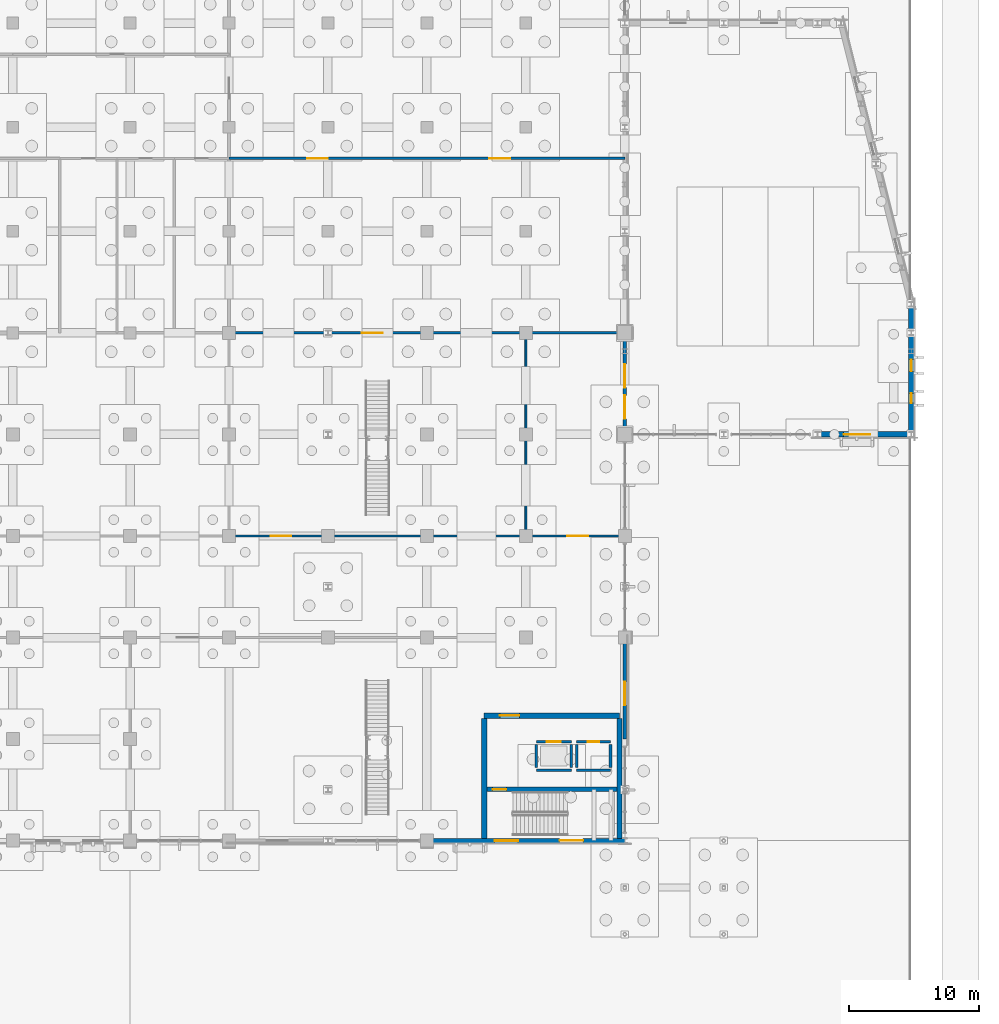
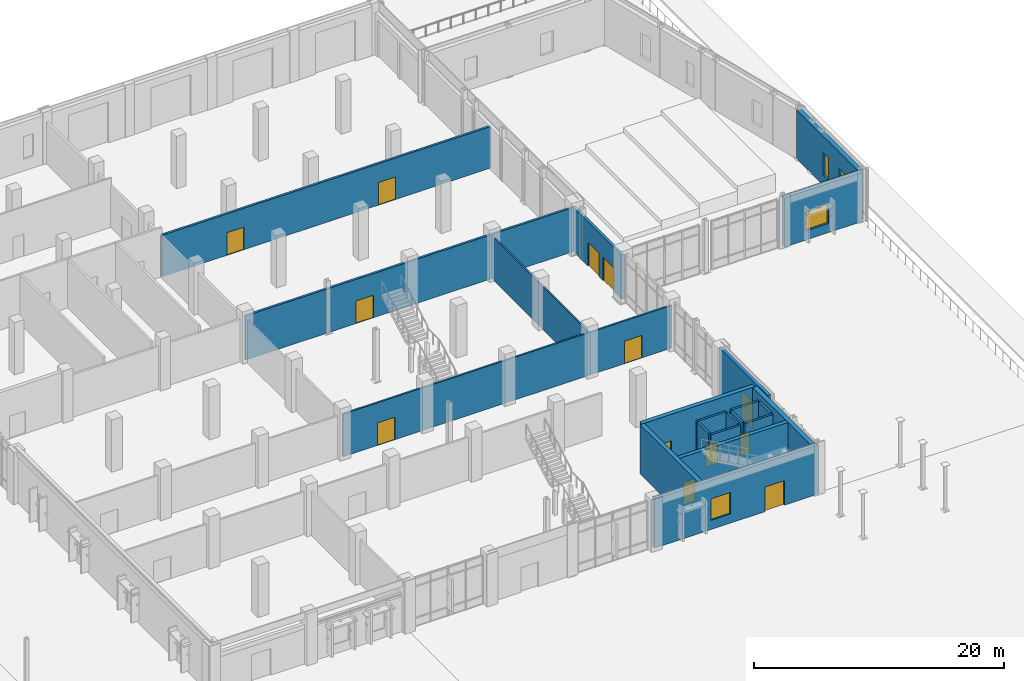
# One storey, part 69 of 94: 22 walls, 13 doors, 4 windows, 17 openings.
"""IFC4 building model written with IfcOpenShell, lengths in metres."""

from ifc_helpers import new_model, si_unit, direction, frame, frame_2d, origin, place, context, subcontext, project, spatial, rectangle, extrude, material, layer, layer_set, type_object, element, fill, save


model = new_model("IFC4")

# Units and contexts
model_context = context("Model", 3, precision=1e-05, world=origin(), true_north=direction((0.0, 1.0)))
body_context = subcontext(model_context, "Body", "Model", "MODEL_VIEW")
ifc_project = project(units=[si_unit("LENGTHUNIT", "METRE"), si_unit("AREAUNIT", "SQUARE_METRE"), si_unit("VOLUMEUNIT", "CUBIC_METRE"), si_unit("PLANEANGLEUNIT", "RADIAN"), si_unit("MASSUNIT", "GRAM", prefix="KILO")], contexts=[model_context])

# Site, building, storey
site_placement = place(None, origin())
site = spatial("IfcSite", under=ifc_project, at=site_placement, CompositionType="ELEMENT")
building_placement = place(site_placement, origin())
building = spatial("IfcBuilding", under=site, at=building_placement, Name="Vervanel Yard Central Library", CompositionType="ELEMENT")
storey_placement = place(building_placement, origin())
storey = spatial("IfcBuildingStorey", under=building, at=storey_placement, Name="L00", CompositionType="ELEMENT", Elevation=0.0)

# Wall, openings, doors
ifc_material_1 = material(Name="Concrete C40/50", Category="concrete")
ifc_layer_1 = layer(ifc_material_1, 0.25, Category="concrete")
ifc_layer_set_1 = layer_set([ifc_layer_1], Name="Concrete C40/50")
wall_type_1 = type_object("IfcWallType", Name="Acoustic Auditorium Wall 250", PredefinedType="PARTITIONING", material=ifc_layer_set_1)
wall_1_placement = place(storey_placement, frame((146.0, 74.39990234375, 0.0), z_axis=(0.0, 0.0, 1.0), x_axis=(0.0, 1.0, 0.0)))
wall_1 = element("IfcWall", 1, at=wall_1_placement, inside=storey, type_object=wall_type_1, Name="L00 Acoustic Auditorium Wall 250 IPART-L00-0037", PredefinedType="PARTITIONING", context=body_context, shape_type="SweptSolid", body=[
    extrude(rectangle(XDim=7.800048828125, YDim=0.25, at=frame_2d((3.89990234375, 0.0))), origin(), (0.0, 0.0, 1.0), 4.3076171875),
])
opening_1_placement = place(wall_1_placement, frame((1.199951171875, 0.0, 0.0)))
opening_1 = element("IfcOpeningElement", 2, at=opening_1_placement, cuts=wall_1, Name="Opening DR-05", PredefinedType="OPENING", context=body_context, shape_type="SweptSolid", body=[
    extrude(rectangle(XDim=1.800048828125, YDim=2.300048828125, at=frame_2d((0.89990234375, 1.14990234375))), frame((0.0, 0.135009765625, 0.0), z_axis=(0.0, -1.0, 0.0), x_axis=(1.0, 0.0, 0.0)), (0.0, 0.0, 1.0), 0.27001953125),
])
opening_2_placement = place(wall_1_placement, frame((3.60009765625, 0.0, 0.0)))
opening_2 = element("IfcOpeningElement", 3, at=opening_2_placement, cuts=wall_1, Name="Opening DR-05", PredefinedType="OPENING", context=body_context, shape_type="SweptSolid", body=[
    extrude(rectangle(XDim=1.800048828125, YDim=2.300048828125, at=frame_2d((0.89990234375, 1.14990234375))), frame((0.0, 0.135009765625, 0.0), z_axis=(0.0, -1.0, 0.0), x_axis=(1.0, 0.0, 0.0)), (0.0, 0.0, 1.0), 0.27001953125),
])
ifc_material_2 = material(Name="Solid white oak acoustic joinery", Category="wood")
door_type_1 = type_object("IfcDoorType", Name="Acoustic Auditorium Double Door 1800x2300", OperationType="NOTDEFINED", PredefinedType="DOOR", material=ifc_material_2)
door_1_placement = place(opening_1_placement, origin())
door_1 = element("IfcDoor", 4, at=door_1_placement, inside=storey, type_object=door_type_1, Name="L00 Acoustic Auditorium Double Door 1800x2300 IDOOR-L00-0026", OperationType="DOUBLE_DOOR_SINGLE_SWING", OverallHeight=2.300048828125, OverallWidth=1.800048828125, PredefinedType="DOOR", context=body_context, shape_type="SweptSolid", body=[
    extrude(rectangle(XDim=1.800048828125, YDim=2.300048828125, at=frame_2d((0.89990234375, 1.14990234375))), frame((0.0, 0.02490234375, 0.0), z_axis=(0.0, -1.0, 0.0), x_axis=(1.0, 0.0, 0.0)), (0.0, 0.0, 1.0), 0.050048828125),
])
fill(opening_1, door_1)
door_2_placement = place(opening_2_placement, origin())
door_2 = element("IfcDoor", 5, at=door_2_placement, inside=storey, type_object=door_type_1, Name="L00 Acoustic Auditorium Double Door 1800x2300 IDOOR-L00-0027", OperationType="DOUBLE_DOOR_SINGLE_SWING", OverallHeight=2.300048828125, OverallWidth=1.800048828125, PredefinedType="DOOR", context=body_context, shape_type="SweptSolid", body=[
    extrude(rectangle(XDim=1.800048828125, YDim=2.300048828125, at=frame_2d((0.89990234375, 1.14990234375))), frame((0.0, 0.02490234375, 0.0), z_axis=(0.0, -1.0, 0.0), x_axis=(1.0, 0.0, 0.0)), (0.0, 0.0, 1.0), 0.050048828125),
])
fill(opening_2, door_2)

# Wall, opening, door
ifc_material_3 = material(Name="Fire-rated gypsum board on steel studs", Category="steel")
ifc_layer_2 = layer(ifc_material_3, 0.159912109375, Category="steel")
ifc_layer_set_2 = layer_set([ifc_layer_2], Name="Fire-rated gypsum board on steel studs")
wall_type_2 = type_object("IfcWallType", Name="Acoustic Glazed Partition 160", PredefinedType="PARTITIONING", material=ifc_layer_set_2)
wall_2_placement = place(storey_placement, frame((115.60009765625, 66.60009765625, 0.0), z_axis=(0.0, 0.0, 1.0), x_axis=(1.0, 0.0, 0.0)))
wall_2 = element("IfcWall", 6, at=wall_2_placement, inside=storey, type_object=wall_type_2, Name="L00 Acoustic Glazed Partition 160 IPART-L00-0033", PredefinedType="PARTITIONING", context=body_context, shape_type="SweptSolid", body=[
    extrude(rectangle(XDim=22.7998046875, YDim=0.159912109375, at=frame_2d((11.39990234375, 0.0))), origin(), (0.0, 0.0, 1.0), 4.162841796875),
])
opening_3_placement = place(wall_2_placement, frame((3.199951171875, 0.0, 0.0)))
opening_3 = element("IfcOpeningElement", 7, at=opening_3_placement, cuts=wall_2, Name="Opening DR-04", PredefinedType="OPENING", context=body_context, shape_type="SweptSolid", body=[
    extrude(rectangle(XDim=1.60009765625, YDim=2.199951171875, at=frame_2d((0.800048828125, 1.10009765625))), frame((0.0, 0.08984375, 0.0), z_axis=(0.0, -1.0, 0.0), x_axis=(1.0, 0.0, 0.0)), (0.0, 0.0, 1.0), 0.179931640625),
])
door_type_2 = type_object("IfcDoorType", Name="Interior Double Reading Door 1600x2200", OperationType="NOTDEFINED", PredefinedType="DOOR", material=ifc_material_2)
door_3_placement = place(opening_3_placement, origin())
door_3 = element("IfcDoor", 8, at=door_3_placement, inside=storey, type_object=door_type_2, Name="L00 Interior Double Reading Door 1600x2200 IDOOR-L00-0024", OperationType="DOUBLE_DOOR_SINGLE_SWING", OverallHeight=2.199951171875, OverallWidth=1.60009765625, PredefinedType="DOOR", context=body_context, shape_type="SweptSolid", body=[
    extrude(rectangle(XDim=1.60009765625, YDim=2.199951171875, at=frame_2d((0.800048828125, 1.10009765625))), frame((0.0, 0.02490234375, 0.0), z_axis=(0.0, -1.0, 0.0), x_axis=(1.0, 0.0, 0.0)), (0.0, 0.0, 1.0), 0.050048828125),
])
fill(opening_3, door_3)

wall_3_placement = place(storey_placement, frame((138.39990234375, 66.60009765625, 0.0), z_axis=(0.0, 0.0, 1.0), x_axis=(1.0, 0.0, 0.0)))
wall_3 = element("IfcWall", 9, at=wall_3_placement, inside=storey, type_object=wall_type_2, Name="L00 Acoustic Glazed Partition 160 IPART-L00-0035", PredefinedType="PARTITIONING", context=body_context, shape_type="SweptSolid", body=[
    extrude(rectangle(XDim=7.60009765625, YDim=0.159912109375, at=frame_2d((3.800048828125, 0.0))), origin(), (0.0, 0.0, 1.0), 4.162841796875),
])
opening_4_placement = place(wall_3_placement, frame((3.199951171875, 0.0, 0.0)))
opening_4 = element("IfcOpeningElement", 10, at=opening_4_placement, cuts=wall_3, Name="Opening DR-04", PredefinedType="OPENING", context=body_context, shape_type="SweptSolid", body=[
    extrude(rectangle(XDim=1.60009765625, YDim=2.199951171875, at=frame_2d((0.800048828125, 1.10009765625))), frame((0.0, 0.08984375, 0.0), z_axis=(0.0, -1.0, 0.0), x_axis=(1.0, 0.0, 0.0)), (0.0, 0.0, 1.0), 0.179931640625),
])
door_4_placement = place(opening_4_placement, origin())
door_4 = element("IfcDoor", 11, at=door_4_placement, inside=storey, type_object=door_type_2, Name="L00 Interior Double Reading Door 1600x2200 IDOOR-L00-0025", OperationType="DOUBLE_DOOR_SINGLE_SWING", OverallHeight=2.199951171875, OverallWidth=1.60009765625, PredefinedType="DOOR", context=body_context, shape_type="SweptSolid", body=[
    extrude(rectangle(XDim=1.60009765625, YDim=2.199951171875, at=frame_2d((0.800048828125, 1.10009765625))), frame((0.0, 0.02490234375, 0.0), z_axis=(0.0, -1.0, 0.0), x_axis=(1.0, 0.0, 0.0)), (0.0, 0.0, 1.0), 0.050048828125),
])
fill(opening_4, door_4)

# Wall, opening, window
ifc_material_4 = material(Name="Concrete C45/55", Category="concrete")
ifc_layer_3 = layer(ifc_material_4, 0.419921875, Category="concrete")
ifc_layer_set_3 = layer_set([ifc_layer_3], Name="Concrete C45/55")
wall_type_3 = type_object("IfcWallType", Name="Auditorium Acoustic Shell Exterior Wall 420", PredefinedType="SOLIDWALL", material=ifc_layer_set_3)
wall_4_placement = place(storey_placement, frame((160.800048828125, 74.39990234375, 0.0), z_axis=(0.0, 0.0, 1.0), x_axis=(1.0, 0.0, 0.0)))
wall_4 = element("IfcWall", 12, at=wall_4_placement, inside=storey, type_object=wall_type_3, Name="L00 Auditorium Acoustic Shell Exterior Wall 420 EWALL-L00-0178", PredefinedType="SOLIDWALL", context=body_context, shape_type="SweptSolid", body=[
    extrude(rectangle(XDim=7.199951171875, YDim=0.419921875, at=frame_2d((3.60009765625, 0.0))), origin(), (0.0, 0.0, 1.0), 4.800048828125),
])
opening_5_placement = place(wall_4_placement, frame((2.0, 0.0, 0.89990234375)))
opening_5 = element("IfcOpeningElement", 13, at=opening_5_placement, cuts=wall_4, Name="Opening WN-26", PredefinedType="OPENING", context=body_context, shape_type="SweptSolid", body=[
    extrude(rectangle(XDim=2.050048828125, YDim=1.85009765625, at=frame_2d((1.02490234375, 0.925048828125))), frame((0.0, 0.219970703125, 0.0), z_axis=(0.0, -1.0, 0.0), x_axis=(1.0, 0.0, 0.0)), (0.0, 0.0, 1.0), 0.43994140625),
])
ifc_material_5 = material(Name="Double low-E laminated solar-control glass", Category="glass")
window_type_1 = type_object("IfcWindowType", Name="Seminar Acoustic Window 2050x1850", PartitioningType="SINGLE_PANEL", PredefinedType="WINDOW", material=ifc_material_5)
window_1_placement = place(opening_5_placement, origin())
window_1 = element("IfcWindow", 14, at=window_1_placement, inside=storey, type_object=window_type_1, Name="L00 Seminar Acoustic Window 2050x1850 217", OverallHeight=1.85009765625, OverallWidth=2.050048828125, PartitioningType="SINGLE_PANEL", PredefinedType="WINDOW", context=body_context, shape_type="SweptSolid", body=[
    extrude(rectangle(XDim=2.050048828125, YDim=1.85009765625, at=frame_2d((1.02490234375, 0.925048828125))), frame((0.0, 0.030029296875, 0.0), z_axis=(0.0, -1.0, 0.0), x_axis=(1.0, 0.0, 0.0)), (0.0, 0.0, 1.0), 0.06005859375),
])
fill(opening_5, window_1)

# Wall, openings, windows
wall_5_placement = place(storey_placement, frame((168.0, 74.39990234375, 0.0), z_axis=(0.0, 0.0, 1.0), x_axis=(0.0, 1.0, 0.0)))
wall_5 = element("IfcWall", 15, at=wall_5_placement, inside=storey, type_object=wall_type_3, Name="L00 Auditorium Acoustic Shell Exterior Wall 420 EWALL-L00-0179", PredefinedType="SOLIDWALL", context=body_context, shape_type="SweptSolid", body=[
    extrude(rectangle(XDim=10.0, YDim=0.419921875, at=frame_2d((5.0, 0.0))), origin(), (0.0, 0.0, 1.0), 4.800048828125),
])
opening_6_placement = place(wall_5_placement, frame((2.39990234375, 0.0, 1.0)))
opening_6 = element("IfcOpeningElement", 16, at=opening_6_placement, cuts=wall_5, Name="Opening WN-04", PredefinedType="OPENING", context=body_context, shape_type="SweptSolid", body=[
    extrude(rectangle(XDim=0.75, YDim=2.199951171875, at=frame_2d((0.375, 1.10009765625))), frame((0.0, 0.219970703125, 0.0), z_axis=(0.0, -1.0, 0.0), x_axis=(1.0, 0.0, 0.0)), (0.0, 0.0, 1.0), 0.43994140625),
])
opening_7_placement = place(wall_5_placement, frame((4.85009765625, 0.0, 1.0)))
opening_7 = element("IfcOpeningElement", 17, at=opening_7_placement, cuts=wall_5, Name="Opening WN-05", PredefinedType="OPENING", context=body_context, shape_type="SweptSolid", body=[
    extrude(rectangle(XDim=0.89990234375, YDim=2.199951171875, at=frame_2d((0.449951171875, 1.10009765625))), frame((0.0, 0.219970703125, 0.0), z_axis=(0.0, -1.0, 0.0), x_axis=(1.0, 0.0, 0.0)), (0.0, 0.0, 1.0), 0.43994140625),
])
window_type_2 = type_object("IfcWindowType", Name="Stack Deep-Reveal Window 900x2200", PartitioningType="SINGLE_PANEL", PredefinedType="WINDOW", material=ifc_material_5)
window_2_placement = place(opening_7_placement, origin())
window_2 = element("IfcWindow", 18, at=window_2_placement, inside=storey, type_object=window_type_2, Name="L00 Stack Deep-Reveal Window 900x2200 219", OverallHeight=2.199951171875, OverallWidth=0.89990234375, PartitioningType="SINGLE_PANEL", PredefinedType="WINDOW", context=body_context, shape_type="SweptSolid", body=[
    extrude(rectangle(XDim=0.89990234375, YDim=2.199951171875, at=frame_2d((0.449951171875, 1.10009765625))), frame((0.0, 0.030029296875, 0.0), z_axis=(0.0, -1.0, 0.0), x_axis=(1.0, 0.0, 0.0)), (0.0, 0.0, 1.0), 0.06005859375),
])
fill(opening_7, window_2)
window_type_3 = type_object("IfcWindowType", Name="Stack Narrow UV-Filtered Window 750x2200", PartitioningType="SINGLE_PANEL", PredefinedType="WINDOW", material=ifc_material_5)
window_3_placement = place(opening_6_placement, origin())
window_3 = element("IfcWindow", 19, at=window_3_placement, inside=storey, type_object=window_type_3, Name="L00 Stack Narrow UV-Filtered Window 750x2200 218", OverallHeight=2.199951171875, OverallWidth=0.75, PartitioningType="SINGLE_PANEL", PredefinedType="WINDOW", context=body_context, shape_type="SweptSolid", body=[
    extrude(rectangle(XDim=0.75, YDim=2.199951171875, at=frame_2d((0.375, 1.10009765625))), frame((0.0, 0.030029296875, 0.0), z_axis=(0.0, -1.0, 0.0), x_axis=(1.0, 0.0, 0.0)), (0.0, 0.0, 1.0), 0.06005859375),
])
fill(opening_6, window_3)

# Wall, opening, door
ifc_layer_4 = layer(ifc_material_1, 0.280029296875, Category="concrete")
ifc_layer_set_4 = layer_set([ifc_layer_4], Name="Concrete C40/50")
wall_type_4 = type_object("IfcWallType", Name="Board-Marked Concrete Spandrel Wall 280", PredefinedType="SOLIDWALL", material=ifc_layer_set_4)
wall_6_placement = place(storey_placement, frame((146.0, 51.0, 0.0), z_axis=(0.0, 0.0, 1.0), x_axis=(0.0, 1.0, 0.0)))
wall_6 = element("IfcWall", 20, at=wall_6_placement, inside=storey, type_object=wall_type_4, Name="L00 Board-Marked Concrete Spandrel Wall 280 EWALL-L00-0176", PredefinedType="SOLIDWALL", context=body_context, shape_type="SweptSolid", body=[
    extrude(rectangle(XDim=7.800048828125, YDim=0.280029296875, at=frame_2d((3.89990234375, 0.0))), origin(), (0.0, 0.0, 1.0), 4.800048828125),
])
opening_8_placement = place(wall_6_placement, frame((2.60009765625, 0.0, 0.0)))
opening_8 = element("IfcOpeningElement", 21, at=opening_8_placement, cuts=wall_6, Name="Opening DR-E01", PredefinedType="OPENING", context=body_context, shape_type="SweptSolid", body=[
    extrude(rectangle(XDim=1.800048828125, YDim=2.60009765625, at=frame_2d((0.89990234375, 1.300048828125))), frame((0.0, 0.14990234375, 0.0), z_axis=(0.0, -1.0, 0.0), x_axis=(1.0, 0.0, 0.0)), (0.0, 0.0, 1.0), 0.300048828125),
])
ifc_material_6 = material(Name="Thermally broken anodized aluminium 6063-T6", Category="aluminium")
door_type_3 = type_object("IfcDoorType", Name="Main Civic Entrance Double Door 1800x2600", OperationType="NOTDEFINED", PredefinedType="DOOR", material=ifc_material_6)
door_5_placement = place(opening_8_placement, frame((1.800048828125, 0.0, 0.0), z_axis=(0.0, 0.0, 1.0), x_axis=(-1.0, 0.0, 0.0)))
door_5 = element("IfcDoor", 22, at=door_5_placement, inside=storey, type_object=door_type_3, Name="L00 Main Civic Entrance Double Door 1800x2600 19", OperationType="DOUBLE_DOOR_SINGLE_SWING", OverallHeight=2.60009765625, OverallWidth=1.800048828125, PredefinedType="DOOR", context=body_context, shape_type="SweptSolid", body=[
    extrude(rectangle(XDim=1.800048828125, YDim=2.60009765625, at=frame_2d((0.89990234375, 1.300048828125))), frame((0.0, 0.02490234375, 0.0), z_axis=(0.0, -1.0, 0.0), x_axis=(1.0, 0.0, 0.0)), (0.0, 0.0, 1.0), 0.050048828125),
])
fill(opening_8, door_5)

ifc_layer_5 = layer(ifc_material_4, 0.39990234375, Category="concrete")
ifc_layer_set_5 = layer_set([ifc_layer_5], Name="Concrete C45/55")
wall_type_5 = type_object("IfcWallType", Name="Core Primary Shear Wall 400", PredefinedType="SHEAR", material=ifc_layer_set_5)
wall_7_placement = place(storey_placement, frame((135.199951171875, 52.800048828125, 0.0), z_axis=(0.0, 0.0, 1.0), x_axis=(1.0, 0.0, 0.0)))
wall_7 = element("IfcWall", 23, at=wall_7_placement, inside=storey, type_object=wall_type_5, Name="L00 CORE-E Shear Wall N", PredefinedType="SHEAR", context=body_context, shape_type="SweptSolid", body=[
    extrude(rectangle(XDim=10.400146484375, YDim=0.39990234375, at=frame_2d((5.2001953125, 0.0))), origin(), (0.0, 0.0, 1.0), 4.800048828125),
])
opening_9_placement = place(wall_7_placement, frame((1.199951171875, 0.0, 0.0)))
opening_9 = element("IfcOpeningElement", 24, at=opening_9_placement, cuts=wall_7, Name="Opening DR-F02", PredefinedType="OPENING", context=body_context, shape_type="SweptSolid", body=[
    extrude(rectangle(XDim=1.5, YDim=2.199951171875, at=frame_2d((0.75, 1.10009765625))), frame((0.0, 0.2099609375, 0.0), z_axis=(0.0, -1.0, 0.0), x_axis=(1.0, 0.0, 0.0)), (0.0, 0.0, 1.0), 0.419921875),
])
ifc_material_7 = material(Name="Galvanized painted steelwork ASTM A500 Grade C", Category="steel")
door_type_4 = type_object("IfcDoorType", Name="Fire-Rated Lobby Door 1500x2200", OperationType="NOTDEFINED", PredefinedType="DOOR", material=ifc_material_7)
door_6_placement = place(opening_9_placement, origin())
door_6 = element("IfcDoor", 25, at=door_6_placement, inside=storey, type_object=door_type_4, Name="L00 CORE-E Lobby Fire Door", OperationType="DOUBLE_DOOR_SINGLE_SWING", OverallHeight=2.199951171875, OverallWidth=1.5, PredefinedType="DOOR", context=body_context, shape_type="SweptSolid", body=[
    extrude(rectangle(XDim=1.5, YDim=2.199951171875, at=frame_2d((0.75, 1.10009765625))), frame((0.0, 0.02490234375, 0.0), z_axis=(0.0, -1.0, 0.0), x_axis=(1.0, 0.0, 0.0)), (0.0, 0.0, 1.0), 0.050048828125),
])
fill(opening_9, door_6)

# Walls
for number, where, z_axis, x_axis, name in (
    (26, (135.199951171875, 43.3701171875, 0.0), (0.0, 0.0, 1.0), (0.0, 1.0, 0.0), "L00 CORE-E Shear Wall W"),
    (27, (145.60009765625, 43.3701171875, 0.0), (0.0, 0.0, 1.0), (0.0, 1.0, 0.0), "L00 CORE-E Shear Wall E"),
):
    element("IfcWall", number, at=place(storey_placement, frame(where, z_axis=z_axis, x_axis=x_axis)), inside=storey, type_object=wall_type_5, Name=name, PredefinedType="SHEAR", context=body_context, shape_type="SweptSolid", body=[
        extrude(rectangle(XDim=9.22998046875, YDim=0.39990234375, at=frame_2d((4.614990234375, 0.0))), origin(), (0.0, 0.0, 1.0), 4.800048828125),
    ])

# Wall, opening, door
ifc_layer_6 = layer(ifc_material_4, 0.35009765625, Category="concrete")
ifc_layer_set_6 = layer_set([ifc_layer_6], Name="Concrete C45/55")
wall_type_6 = type_object("IfcWallType", Name="Core Secondary Shear Wall 350", PredefinedType="SHEAR", material=ifc_layer_set_6)
wall_8_placement = place(storey_placement, frame((135.39990234375, 47.135009765625, 0.0), z_axis=(0.0, 0.0, 1.0), x_axis=(1.0, 0.0, 0.0)))
wall_8 = element("IfcWall", 28, at=wall_8_placement, inside=storey, type_object=wall_type_6, Name="L00 CORE-E Stair Shaft Wall", PredefinedType="SHEAR", context=body_context, shape_type="SweptSolid", body=[
    extrude(rectangle(XDim=10.0, YDim=0.35009765625, at=frame_2d((5.0, 0.0))), origin(), (0.0, 0.0, 1.0), 4.800048828125),
])
opening_10_placement = place(wall_8_placement, frame((0.449951171875, 0.0, 0.0)))
opening_10 = element("IfcOpeningElement", 29, at=opening_10_placement, cuts=wall_8, Name="Opening DR-F01", PredefinedType="OPENING", context=body_context, shape_type="SweptSolid", body=[
    extrude(rectangle(XDim=1.050048828125, YDim=2.199951171875, at=frame_2d((0.52490234375, 1.10009765625))), frame((0.0, 0.18505859375, 0.0), z_axis=(0.0, -1.0, 0.0), x_axis=(1.0, 0.0, 0.0)), (0.0, 0.0, 1.0), 0.3701171875),
])
door_type_5 = type_object("IfcDoorType", Name="Fire-Rated Stair Exit Door 1050x2200", OperationType="NOTDEFINED", PredefinedType="DOOR", material=ifc_material_7)
door_7_placement = place(opening_10_placement, origin())
door_7 = element("IfcDoor", 30, at=door_7_placement, inside=storey, type_object=door_type_5, Name="L00 CORE-E Stair Door", OperationType="SINGLE_SWING_LEFT", OverallHeight=2.199951171875, OverallWidth=1.050048828125, PredefinedType="DOOR", context=body_context, shape_type="SweptSolid", body=[
    extrude(rectangle(XDim=1.050048828125, YDim=2.199951171875, at=frame_2d((0.52490234375, 1.10009765625))), frame((0.0, 0.02490234375, 0.0), z_axis=(0.0, -1.0, 0.0), x_axis=(1.0, 0.0, 0.0)), (0.0, 0.0, 1.0), 0.050048828125),
])
fill(opening_10, door_7)

# Wall, openings, door, window
ifc_layer_7 = layer(ifc_material_4, 0.340087890625, Category="concrete")
ifc_layer_set_7 = layer_set([ifc_layer_7], Name="Concrete C45/55")
wall_type_7 = type_object("IfcWallType", Name="Exterior Bearing Concrete Frame Wall 340", PredefinedType="SOLIDWALL", material=ifc_layer_set_7)
wall_9_placement = place(storey_placement, frame((130.800048828125, 43.199951171875, 0.0), z_axis=(0.0, 0.0, 1.0), x_axis=(1.0, 0.0, 0.0)))
wall_9 = element("IfcWall", 31, at=wall_9_placement, inside=storey, type_object=wall_type_7, Name="L00 Exterior Bearing Concrete Frame Wall 340 EWALL-L00-0162", PredefinedType="SOLIDWALL", context=body_context, shape_type="SweptSolid", body=[
    extrude(rectangle(XDim=15.199951171875, YDim=0.340087890625, at=frame_2d((7.60009765625, 0.0))), origin(), (0.0, 0.0, 1.0), 4.800048828125),
])
opening_11_placement = place(wall_9_placement, frame((10.199951171875, 0.0, 0.0)))
opening_11 = element("IfcOpeningElement", 32, at=opening_11_placement, cuts=wall_9, Name="Opening DR-E02", PredefinedType="OPENING", context=body_context, shape_type="SweptSolid", body=[
    extrude(rectangle(XDim=1.800048828125, YDim=2.39990234375, at=frame_2d((0.89990234375, 1.199951171875))), frame((0.0, 0.179931640625, 0.0), z_axis=(0.0, -1.0, 0.0), x_axis=(1.0, 0.0, 0.0)), (0.0, 0.0, 1.0), 0.360107421875),
])
opening_12_placement = place(wall_9_placement, frame((5.199951171875, 0.0, 0.89990234375)))
opening_12 = element("IfcOpeningElement", 33, at=opening_12_placement, cuts=wall_9, Name="Opening WN-03", PredefinedType="OPENING", context=body_context, shape_type="SweptSolid", body=[
    extrude(rectangle(XDim=1.800048828125, YDim=2.10009765625, at=frame_2d((0.89990234375, 1.050048828125))), frame((0.0, 0.179931640625, 0.0), z_axis=(0.0, -1.0, 0.0), x_axis=(1.0, 0.0, 0.0)), (0.0, 0.0, 1.0), 0.360107421875),
])
ifc_material_8 = material(Name="Galvanized hollow steel door assembly", Category="steel")
door_type_6 = type_object("IfcDoorType", Name="Double Pedestrian Exit Door 1800x2400", OperationType="NOTDEFINED", PredefinedType="DOOR", material=ifc_material_8)
door_8_placement = place(opening_11_placement, frame((1.800048828125, 0.0, 0.0), z_axis=(0.0, 0.0, 1.0), x_axis=(-1.0, 0.0, 0.0)))
door_8 = element("IfcDoor", 34, at=door_8_placement, inside=storey, type_object=door_type_6, Name="L00 Double Pedestrian Exit Door 1800x2400 18", OperationType="DOUBLE_DOOR_SINGLE_SWING", OverallHeight=2.39990234375, OverallWidth=1.800048828125, PredefinedType="DOOR", context=body_context, shape_type="SweptSolid", body=[
    extrude(rectangle(XDim=1.800048828125, YDim=2.39990234375, at=frame_2d((0.89990234375, 1.199951171875))), frame((0.0, 0.02490234375, 0.0), z_axis=(0.0, -1.0, 0.0), x_axis=(1.0, 0.0, 0.0)), (0.0, 0.0, 1.0), 0.050048828125),
])
fill(opening_11, door_8)
window_type_4 = type_object("IfcWindowType", Name="Reading Wide Window 1800x2100", PartitioningType="SINGLE_PANEL", PredefinedType="WINDOW", material=ifc_material_5)
window_4_placement = place(opening_12_placement, origin())
window_4 = element("IfcWindow", 35, at=window_4_placement, inside=storey, type_object=window_type_4, Name="L00 Reading Wide Window 1800x2100 213", OverallHeight=2.10009765625, OverallWidth=1.800048828125, PartitioningType="SINGLE_PANEL", PredefinedType="WINDOW", context=body_context, shape_type="SweptSolid", body=[
    extrude(rectangle(XDim=1.800048828125, YDim=2.10009765625, at=frame_2d((0.89990234375, 1.050048828125))), frame((0.0, 0.030029296875, 0.0), z_axis=(0.0, -1.0, 0.0), x_axis=(1.0, 0.0, 0.0)), (0.0, 0.0, 1.0), 0.06005859375),
])
fill(opening_12, window_4)

# Walls
ifc_layer_8 = layer(ifc_material_3, 0.14990234375, Category="steel")
ifc_layer_set_8 = layer_set([ifc_layer_8], Name="Fire-rated gypsum board on steel studs")
wall_type_8 = type_object("IfcWallType", Name="Interior Partition 150", PredefinedType="PARTITIONING", material=ifc_layer_set_8)
wall_10_placement = place(storey_placement, frame((138.39990234375, 66.60009765625, 0.0), z_axis=(0.0, 0.0, 1.0), x_axis=(0.0, 1.0, 0.0)))
element("IfcWall", 36, at=wall_10_placement, inside=storey, type_object=wall_type_8, Name="L00 Interior Partition 150 IPART-L00-0036", PredefinedType="PARTITIONING", context=body_context, shape_type="SweptSolid", body=[
    extrude(rectangle(XDim=15.599853515625, YDim=0.14990234375, at=frame_2d((7.7998046875, 0.0))), origin(), (0.0, 0.0, 1.0), 4.162841796875),
])
ifc_layer_9 = layer(ifc_material_1, 0.199951171875, Category="concrete")
ifc_layer_set_9 = layer_set([ifc_layer_9], Name="Concrete C40/50")
wall_type_9 = type_object("IfcWallType", Name="Shaft & Plant Rated Wall 200", PredefinedType="PARTITIONING", material=ifc_layer_set_9)
wall_11_placement = place(storey_placement, frame((139.199951171875, 48.60009765625, 0.0), z_axis=(0.0, 0.0, 1.0), x_axis=(1.0, 0.0, 0.0)))
element("IfcWall", 37, at=wall_11_placement, inside=storey, type_object=wall_type_9, Name="L00 CORE-E-L00-EL-05 Shaft Wall S", PredefinedType="PARTITIONING", context=body_context, shape_type="SweptSolid", body=[
    extrude(rectangle(XDim=2.699951171875, YDim=0.199951171875, at=frame_2d((1.35009765625, 0.0))), origin(), (0.0, 0.0, 1.0), 4.800048828125),
])

# Wall, opening, door
wall_12_placement = place(storey_placement, frame((139.199951171875, 50.800048828125, 0.0), z_axis=(0.0, 0.0, 1.0), x_axis=(1.0, 0.0, 0.0)))
wall_12 = element("IfcWall", 38, at=wall_12_placement, inside=storey, type_object=wall_type_9, Name="L00 CORE-E-L00-EL-05 Shaft Wall N", PredefinedType="PARTITIONING", context=body_context, shape_type="SweptSolid", body=[
    extrude(rectangle(XDim=2.699951171875, YDim=0.199951171875, at=frame_2d((1.35009765625, 0.0))), origin(), (0.0, 0.0, 1.0), 4.800048828125),
])
opening_13_placement = place(wall_12_placement, frame((0.800048828125, 0.0, 0.0)))
opening_13 = element("IfcOpeningElement", 39, at=opening_13_placement, cuts=wall_12, Name="Opening LD-01", PredefinedType="OPENING", context=body_context, shape_type="SweptSolid", body=[
    extrude(rectangle(XDim=1.10009765625, YDim=2.14990234375, at=frame_2d((0.550048828125, 1.074951171875))), frame((0.0, 0.10986328125, 0.0), z_axis=(0.0, -1.0, 0.0), x_axis=(1.0, 0.0, 0.0)), (0.0, 0.0, 1.0), 0.219970703125),
])
ifc_material_9 = material(Name="Brushed stainless steel AISI 316", Category="steel")
door_type_7 = type_object("IfcDoorType", Name="Passenger Lift Sliding Landing Door 1100x2150", OperationType="NOTDEFINED", PredefinedType="DOOR", material=ifc_material_9)
door_9_placement = place(opening_13_placement, origin())
door_9 = element("IfcDoor", 40, at=door_9_placement, inside=storey, type_object=door_type_7, Name="L00 Lift EL-05 Landing Door", OperationType="SLIDING_TO_LEFT", OverallHeight=2.14990234375, OverallWidth=1.10009765625, PredefinedType="DOOR", context=body_context, shape_type="SweptSolid", body=[
    extrude(rectangle(XDim=1.10009765625, YDim=2.14990234375, at=frame_2d((0.550048828125, 1.074951171875))), frame((0.0, 0.02490234375, 0.0), z_axis=(0.0, -1.0, 0.0), x_axis=(1.0, 0.0, 0.0)), (0.0, 0.0, 1.0), 0.050048828125),
])
fill(opening_13, door_9)

# Walls
for number, where, z_axis, x_axis, name in (
    (41, (139.199951171875, 48.800048828125, 0.0), (0.0, 0.0, 1.0), (0.0, 1.0, 0.0), "L00 CORE-E-L00-EL-05 Shaft Wall W"),
    (42, (141.89990234375, 48.800048828125, 0.0), (0.0, 0.0, 1.0), (0.0, 1.0, 0.0), "L00 CORE-E-L00-EL-05 Shaft Wall E"),
):
    element("IfcWall", number, at=place(storey_placement, frame(where, z_axis=z_axis, x_axis=x_axis)), inside=storey, type_object=wall_type_9, Name=name, PredefinedType="PARTITIONING", context=body_context, shape_type="SweptSolid", body=[
        extrude(rectangle(XDim=1.800048828125, YDim=0.199951171875, at=frame_2d((0.89990234375, 0.0))), origin(), (0.0, 0.0, 1.0), 4.800048828125),
    ])
wall_13_placement = place(storey_placement, frame((142.300048828125, 48.60009765625, 0.0), z_axis=(0.0, 0.0, 1.0), x_axis=(1.0, 0.0, 0.0)))
element("IfcWall", 43, at=wall_13_placement, inside=storey, type_object=wall_type_9, Name="L00 CORE-E-L00-RIS Shaft Wall S", PredefinedType="PARTITIONING", context=body_context, shape_type="SweptSolid", body=[
    extrude(rectangle(XDim=2.599853515625, YDim=0.199951171875, at=frame_2d((1.2998046875, 0.0))), origin(), (0.0, 0.0, 1.0), 4.800048828125),
])

# Wall, opening, door
wall_14_placement = place(storey_placement, frame((142.300048828125, 50.800048828125, 0.0), z_axis=(0.0, 0.0, 1.0), x_axis=(1.0, 0.0, 0.0)))
wall_14 = element("IfcWall", 44, at=wall_14_placement, inside=storey, type_object=wall_type_9, Name="L00 CORE-E-L00-RIS Shaft Wall N", PredefinedType="PARTITIONING", context=body_context, shape_type="SweptSolid", body=[
    extrude(rectangle(XDim=2.599853515625, YDim=0.199951171875, at=frame_2d((1.2998046875, 0.0))), origin(), (0.0, 0.0, 1.0), 4.800048828125),
])
opening_14_placement = place(wall_14_placement, frame((0.85009765625, 0.0, 0.0)))
opening_14 = element("IfcOpeningElement", 45, at=opening_14_placement, cuts=wall_14, Name="Opening DR-03", PredefinedType="OPENING", context=body_context, shape_type="SweptSolid", body=[
    extrude(rectangle(XDim=0.89990234375, YDim=2.10009765625, at=frame_2d((0.449951171875, 1.050048828125))), frame((0.0, 0.10986328125, 0.0), z_axis=(0.0, -1.0, 0.0), x_axis=(1.0, 0.0, 0.0)), (0.0, 0.0, 1.0), 0.219970703125),
])
door_type_8 = type_object("IfcDoorType", Name="Interior Riser Access Door 900x2100", OperationType="NOTDEFINED", PredefinedType="DOOR", material=ifc_material_7)
door_10_placement = place(opening_14_placement, origin())
door_10 = element("IfcDoor", 46, at=door_10_placement, inside=storey, type_object=door_type_8, Name="L00 CORE-E Riser Access Door", OperationType="SINGLE_SWING_LEFT", OverallHeight=2.10009765625, OverallWidth=0.89990234375, PredefinedType="DOOR", context=body_context, shape_type="SweptSolid", body=[
    extrude(rectangle(XDim=0.89990234375, YDim=2.10009765625, at=frame_2d((0.449951171875, 1.050048828125))), frame((0.0, 0.02490234375, 0.0), z_axis=(0.0, -1.0, 0.0), x_axis=(1.0, 0.0, 0.0)), (0.0, 0.0, 1.0), 0.050048828125),
])
fill(opening_14, door_10)

# Walls
for number, where, z_axis, x_axis, name in (
    (47, (142.300048828125, 48.800048828125, 0.0), (0.0, 0.0, 1.0), (0.0, 1.0, 0.0), "L00 CORE-E-L00-RIS Shaft Wall W"),
    (48, (144.89990234375, 48.800048828125, 0.0), (0.0, 0.0, 1.0), (0.0, 1.0, 0.0), "L00 CORE-E-L00-RIS Shaft Wall E"),
):
    element("IfcWall", number, at=place(storey_placement, frame(where, z_axis=z_axis, x_axis=x_axis)), inside=storey, type_object=wall_type_9, Name=name, PredefinedType="PARTITIONING", context=body_context, shape_type="SweptSolid", body=[
        extrude(rectangle(XDim=1.800048828125, YDim=0.199951171875, at=frame_2d((0.89990234375, 0.0))), origin(), (0.0, 0.0, 1.0), 4.800048828125),
    ])

# Wall, openings, doors
wall_15_placement = place(storey_placement, frame((115.60009765625, 95.60009765625, 0.0), z_axis=(0.0, 0.0, 1.0), x_axis=(1.0, 0.0, 0.0)))
wall_15 = element("IfcWall", 49, at=wall_15_placement, inside=storey, type_object=wall_type_9, Name="L00 Shaft & Plant Rated Wall 200 IPART-L00-0019", PredefinedType="PARTITIONING", context=body_context, shape_type="SweptSolid", body=[
    extrude(rectangle(XDim=30.39990234375, YDim=0.199951171875, at=frame_2d((15.199951171875, 0.0))), origin(), (0.0, 0.0, 1.0), 4.044921875),
])
opening_15_placement = place(wall_15_placement, frame((6.0, 0.0, 0.0)))
opening_15 = element("IfcOpeningElement", 50, at=opening_15_placement, cuts=wall_15, Name="Opening DR-F03", PredefinedType="OPENING", context=body_context, shape_type="SweptSolid", body=[
    extrude(rectangle(XDim=1.60009765625, YDim=2.199951171875, at=frame_2d((0.800048828125, 1.10009765625))), frame((0.0, 0.10986328125, 0.0), z_axis=(0.0, -1.0, 0.0), x_axis=(1.0, 0.0, 0.0)), (0.0, 0.0, 1.0), 0.219970703125),
])
opening_16_placement = place(wall_15_placement, frame((20.0, 0.0, 0.0)))
opening_16 = element("IfcOpeningElement", 51, at=opening_16_placement, cuts=wall_15, Name="Opening DR-F03", PredefinedType="OPENING", context=body_context, shape_type="SweptSolid", body=[
    extrude(rectangle(XDim=1.60009765625, YDim=2.199951171875, at=frame_2d((0.800048828125, 1.10009765625))), frame((0.0, 0.10986328125, 0.0), z_axis=(0.0, -1.0, 0.0), x_axis=(1.0, 0.0, 0.0)), (0.0, 0.0, 1.0), 0.219970703125),
])
door_type_9 = type_object("IfcDoorType", Name="Fire-Rated Plant Double Door 1600x2200", OperationType="NOTDEFINED", PredefinedType="DOOR", material=ifc_material_7)
door_11_placement = place(opening_15_placement, origin())
door_11 = element("IfcDoor", 52, at=door_11_placement, inside=storey, type_object=door_type_9, Name="L00 Fire-Rated Plant Double Door 1600x2200 IDOOR-L00-0013", OperationType="DOUBLE_DOOR_SINGLE_SWING", OverallHeight=2.199951171875, OverallWidth=1.60009765625, PredefinedType="DOOR", context=body_context, shape_type="SweptSolid", body=[
    extrude(rectangle(XDim=1.60009765625, YDim=2.199951171875, at=frame_2d((0.800048828125, 1.10009765625))), frame((0.0, 0.02490234375, 0.0), z_axis=(0.0, -1.0, 0.0), x_axis=(1.0, 0.0, 0.0)), (0.0, 0.0, 1.0), 0.050048828125),
])
fill(opening_15, door_11)
door_12_placement = place(opening_16_placement, origin())
door_12 = element("IfcDoor", 53, at=door_12_placement, inside=storey, type_object=door_type_9, Name="L00 Fire-Rated Plant Double Door 1600x2200 IDOOR-L00-0014", OperationType="DOUBLE_DOOR_SINGLE_SWING", OverallHeight=2.199951171875, OverallWidth=1.60009765625, PredefinedType="DOOR", context=body_context, shape_type="SweptSolid", body=[
    extrude(rectangle(XDim=1.60009765625, YDim=2.199951171875, at=frame_2d((0.800048828125, 1.10009765625))), frame((0.0, 0.02490234375, 0.0), z_axis=(0.0, -1.0, 0.0), x_axis=(1.0, 0.0, 0.0)), (0.0, 0.0, 1.0), 0.050048828125),
])
fill(opening_16, door_12)

# Wall, opening, door
wall_16_placement = place(storey_placement, frame((115.60009765625, 82.199951171875, 0.0), z_axis=(0.0, 0.0, 1.0), x_axis=(1.0, 0.0, 0.0)))
wall_16 = element("IfcWall", 54, at=wall_16_placement, inside=storey, type_object=wall_type_9, Name="L00 Shaft & Plant Rated Wall 200 IPART-RC2-L00-QUAR", PredefinedType="PARTITIONING", context=body_context, shape_type="SweptSolid", body=[
    extrude(rectangle(XDim=30.39990234375, YDim=0.199951171875, at=frame_2d((15.199951171875, 0.0))), origin(), (0.0, 0.0, 1.0), 4.3076171875),
])
opening_17_placement = place(wall_16_placement, frame((10.199951171875, 0.0, 0.0)))
opening_17 = element("IfcOpeningElement", 55, at=opening_17_placement, cuts=wall_16, Name="Opening DR-F03", PredefinedType="OPENING", context=body_context, shape_type="SweptSolid", body=[
    extrude(rectangle(XDim=1.60009765625, YDim=2.199951171875, at=frame_2d((0.800048828125, 1.10009765625))), frame((0.0, 0.10986328125, 0.0), z_axis=(0.0, -1.0, 0.0), x_axis=(1.0, 0.0, 0.0)), (0.0, 0.0, 1.0), 0.219970703125),
])
door_13_placement = place(opening_17_placement, origin())
door_13 = element("IfcDoor", 56, at=door_13_placement, inside=storey, type_object=door_type_9, Name="L00 Fire-Rated Plant Double Door 1600x2200 IDOOR-IPART-RC2-L00-QUAR-1", OperationType="DOUBLE_DOOR_SINGLE_SWING", OverallHeight=2.199951171875, OverallWidth=1.60009765625, PredefinedType="DOOR", context=body_context, shape_type="SweptSolid", body=[
    extrude(rectangle(XDim=1.60009765625, YDim=2.199951171875, at=frame_2d((0.800048828125, 1.10009765625))), frame((0.0, 0.02490234375, 0.0), z_axis=(0.0, -1.0, 0.0), x_axis=(1.0, 0.0, 0.0)), (0.0, 0.0, 1.0), 0.050048828125),
])
fill(opening_17, door_13)

save(model, "model.ifc")
